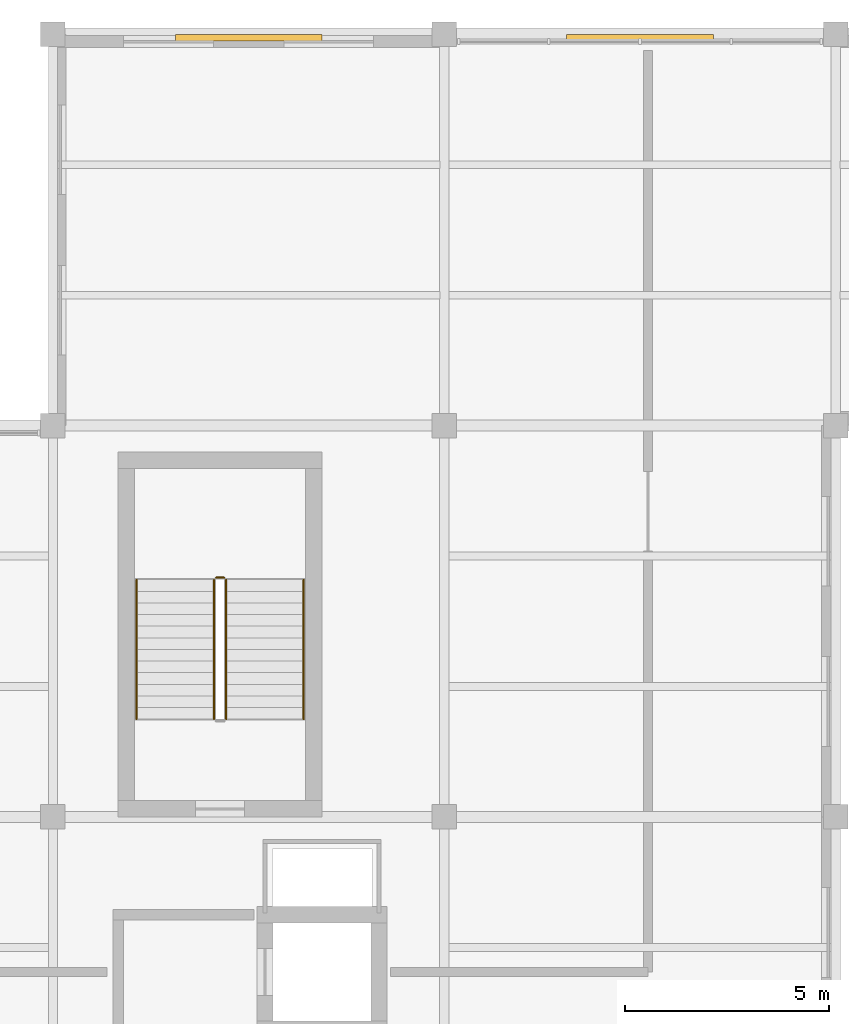
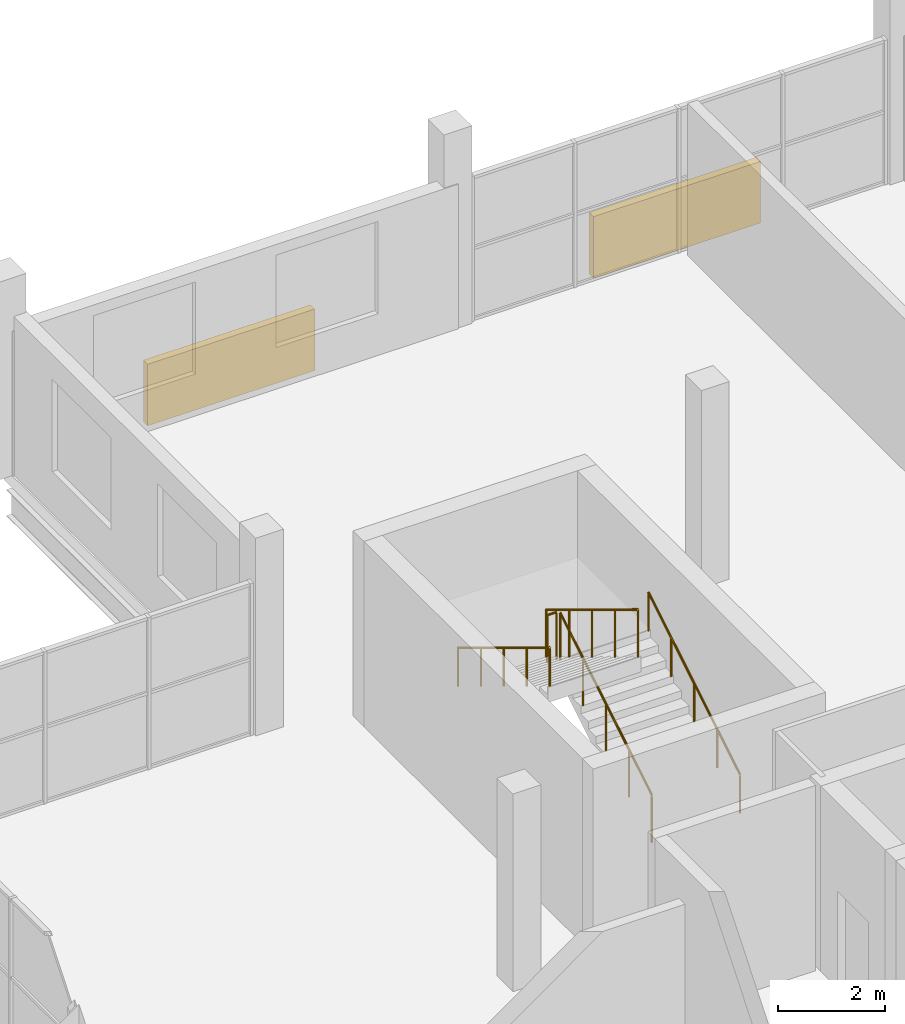
# One storey, part 90 of 92: 5 railings, 2 shading devices.
"""IFC4 building model written with IfcOpenShell, lengths in metres."""

from ifc_helpers import new_model, si_unit, direction, frame, origin, origin_2d, place, context, subcontext, project, spatial, rectangle, circle, extrude, material, type_object, element, save


model = new_model("IFC4")

# Units and contexts
model_context = context("Model", 3, precision=1e-05, world=origin(), true_north=direction((0.0, 1.0)))
body_context = subcontext(model_context, "Body", "Model", "MODEL_VIEW")
ifc_project = project(units=[si_unit("LENGTHUNIT", "METRE"), si_unit("AREAUNIT", "SQUARE_METRE"), si_unit("VOLUMEUNIT", "CUBIC_METRE"), si_unit("PLANEANGLEUNIT", "RADIAN"), si_unit("MASSUNIT", "GRAM", prefix="KILO")], contexts=[model_context])

# Site, building, storey
site_placement = place(None, origin())
site = spatial("IfcSite", under=ifc_project, at=site_placement, CompositionType="ELEMENT")
building_placement = place(site_placement, origin())
building = spatial("IfcBuilding", under=site, at=building_placement, Name="Caelomonte Colonnade Arena", CompositionType="ELEMENT")
storey_placement = place(building_placement, frame((0.0, 0.0, 9.60009765625)))
storey = spatial("IfcBuildingStorey", under=building, at=storey_placement, Name="L02", CompositionType="ELEMENT", Elevation=9.60009765625)

# Shading devices
ifc_material_1 = material(Name="Bronze anodised aluminium AA6063-T6", Category="aluminium")
shading_device_type = type_object("IfcShadingDeviceType", Name="ENV-SD-LOUV1", PredefinedType="JALOUSIE", material=ifc_material_1)
for number, where, z_axis, x_axis, name in (
    (1, (81.60009765625, 143.919921875, 0.0), (0.0, 0.0, 1.0), (1.0, 0.0, 0.0), "Courtyard solar shading louvre LV-01"),
    (2, (91.199951171875, 143.919921875, 0.0), (0.0, 0.0, 1.0), (1.0, 0.0, 0.0), "Courtyard solar shading louvre LV-02"),
):
    element("IfcShadingDevice", number, at=place(storey_placement, frame(where, z_axis=z_axis, x_axis=x_axis)), inside=storey, type_object=shading_device_type, Name=name, PredefinedType="JALOUSIE", context=body_context, shape_type="SweptSolid", body=[
        extrude(rectangle(XDim=3.60009765625, YDim=0.159912109375, at=origin_2d()), origin(), (0.0, 0.0, 1.0), 1.39990234375),
    ])

# Railings
ifc_material_2 = material(Name="Painted galvanized steel stair guard", Category="steel")
railing_type_1 = type_object("IfcRailingType", Name="INT-RL-GRD", PredefinedType="GUARDRAIL", material=ifc_material_2)
railing_1_placement = place(storey_placement, frame((81.050048828125, 127.199951171875, 0.173095703125)))
element("IfcRailing", 3, at=railing_1_placement, inside=storey, type_object=railing_type_1, Name="L02 ST-07 stair guard 1", PredefinedType="GUARDRAIL", context=body_context, shape_type="SweptSolid", body=[
    extrude(circle(Radius=0.02392578125, at=origin_2d()), frame((0.0, 0.0, 1.076171875), z_axis=(0.0, 0.854745945586, 0.519046595696), x_axis=(-1.0, 0.0, 0.0)), (0.0, 0.0, 1.0), 4.00146484375),
    extrude(circle(Radius=0.02099609375, at=origin_2d()), origin(), (0.0, 0.0, 1.0), 1.048095703125),
    extrude(circle(Radius=0.02099609375, at=origin_2d()), frame((0.0, 0.85498046875, 0.519287109375)), (0.0, 0.0, 1.0), 1.048095703125),
    extrude(circle(Radius=0.02099609375, at=origin_2d()), frame((0.0, 1.7099609375, 1.03857421875)), (0.0, 0.0, 1.0), 1.048095703125),
    extrude(circle(Radius=0.02099609375, at=origin_2d()), frame((0.0, 2.565185546875, 1.5576171875)), (0.0, 0.0, 1.0), 1.048095703125),
    extrude(circle(Radius=0.02099609375, at=origin_2d()), frame((0.0, 3.420166015625, 2.076904296875)), (0.0, 0.0, 1.0), 1.048095703125),
])
railing_2_placement = place(storey_placement, frame((81.0, 130.669921875, 2.25)))
element("IfcRailing", 4, at=railing_2_placement, inside=storey, type_object=railing_type_1, Name="L02 ST-07 stair guard 2", PredefinedType="GUARDRAIL", context=body_context, shape_type="SweptSolid", body=[
    extrude(circle(Radius=0.02392578125, at=origin_2d()), frame((0.0, 0.0, 1.076171875), z_axis=(-1.0, 0.0, 0.0), x_axis=(0.0, -1.0, 0.0)), (0.0, 0.0, 1.0), 0.199951171875),
    extrude(circle(Radius=0.02099609375, at=origin_2d()), origin(), (0.0, 0.0, 1.0), 1.048095703125),
    extrude(circle(Radius=0.02099609375, at=origin_2d()), frame((-0.199951171875, 0.0, 0.0)), (0.0, 0.0, 1.0), 1.048095703125),
])
railing_3_placement = place(storey_placement, frame((80.75, 130.6201171875, 2.423095703125)))
element("IfcRailing", 5, at=railing_3_placement, inside=storey, type_object=railing_type_1, Name="L02 ST-07 stair guard 3", PredefinedType="GUARDRAIL", context=body_context, shape_type="SweptSolid", body=[
    extrude(circle(Radius=0.02392578125, at=origin_2d()), frame((0.0, 0.0, 1.076171875), z_axis=(0.0, -0.854745945586, 0.519046595696), x_axis=(1.0, 0.0, 0.0)), (0.0, 0.0, 1.0), 4.00146484375),
    extrude(circle(Radius=0.02099609375, at=origin_2d()), origin(), (0.0, 0.0, 1.0), 1.048095703125),
    extrude(circle(Radius=0.02099609375, at=origin_2d()), frame((0.0, -0.85498046875, 0.519287109375)), (0.0, 0.0, 1.0), 1.048095703125),
    extrude(circle(Radius=0.02099609375, at=origin_2d()), frame((0.0, -1.7099609375, 1.03857421875)), (0.0, 0.0, 1.0), 1.048095703125),
    extrude(circle(Radius=0.02099609375, at=origin_2d()), frame((0.0, -2.565185546875, 1.5576171875)), (0.0, 0.0, 1.0), 1.048095703125),
    extrude(circle(Radius=0.02099609375, at=origin_2d()), frame((0.0, -3.420166015625, 2.076904296875)), (0.0, 0.0, 1.0), 1.048095703125),
])
ifc_material_3 = material(Name="Brushed stainless steel stair handrail", Category="steel")
railing_type_2 = type_object("IfcRailingType", Name="INT-RL-HR", PredefinedType="HANDRAIL", material=ifc_material_3)
railing_4_placement = place(storey_placement, frame((82.949951171875, 127.199951171875, 0.173095703125)))
element("IfcRailing", 6, at=railing_4_placement, inside=storey, type_object=railing_type_2, Name="L02 ST-07 stair handrail 1", PredefinedType="HANDRAIL", context=body_context, shape_type="SweptSolid", body=[
    extrude(circle(Radius=0.02392578125, at=origin_2d()), frame((0.0, 0.0, 0.8759765625), z_axis=(0.0, 0.854745945586, 0.519046595696), x_axis=(-1.0, 0.0, 0.0)), (0.0, 0.0, 1.0), 4.00146484375),
    extrude(circle(Radius=0.02099609375, at=origin_2d()), origin(), (0.0, 0.0, 1.0), 0.847900390625),
    extrude(circle(Radius=0.02099609375, at=origin_2d()), frame((0.0, 0.85498046875, 0.519287109375)), (0.0, 0.0, 1.0), 0.847900390625),
    extrude(circle(Radius=0.02099609375, at=origin_2d()), frame((0.0, 1.7099609375, 1.03857421875)), (0.0, 0.0, 1.0), 0.847900390625),
    extrude(circle(Radius=0.02099609375, at=origin_2d()), frame((0.0, 2.565185546875, 1.5576171875)), (0.0, 0.0, 1.0), 0.847900390625),
    extrude(circle(Radius=0.02099609375, at=origin_2d()), frame((0.0, 3.420166015625, 2.076904296875)), (0.0, 0.0, 1.0), 0.847900390625),
])
railing_5_placement = place(storey_placement, frame((78.85009765625, 130.6201171875, 2.423095703125)))
element("IfcRailing", 7, at=railing_5_placement, inside=storey, type_object=railing_type_2, Name="L02 ST-07 stair handrail 2", PredefinedType="HANDRAIL", context=body_context, shape_type="SweptSolid", body=[
    extrude(circle(Radius=0.02392578125, at=origin_2d()), frame((0.0, 0.0, 0.8759765625), z_axis=(0.0, -0.854745945586, 0.519046595696), x_axis=(1.0, 0.0, 0.0)), (0.0, 0.0, 1.0), 4.00146484375),
    extrude(circle(Radius=0.02099609375, at=origin_2d()), origin(), (0.0, 0.0, 1.0), 0.847900390625),
    extrude(circle(Radius=0.02099609375, at=origin_2d()), frame((0.0, -0.85498046875, 0.519287109375)), (0.0, 0.0, 1.0), 0.847900390625),
    extrude(circle(Radius=0.02099609375, at=origin_2d()), frame((0.0, -1.7099609375, 1.03857421875)), (0.0, 0.0, 1.0), 0.847900390625),
    extrude(circle(Radius=0.02099609375, at=origin_2d()), frame((0.0, -2.565185546875, 1.5576171875)), (0.0, 0.0, 1.0), 0.847900390625),
    extrude(circle(Radius=0.02099609375, at=origin_2d()), frame((0.0, -3.420166015625, 2.076904296875)), (0.0, 0.0, 1.0), 0.847900390625),
])

save(model, "model.ifc")
